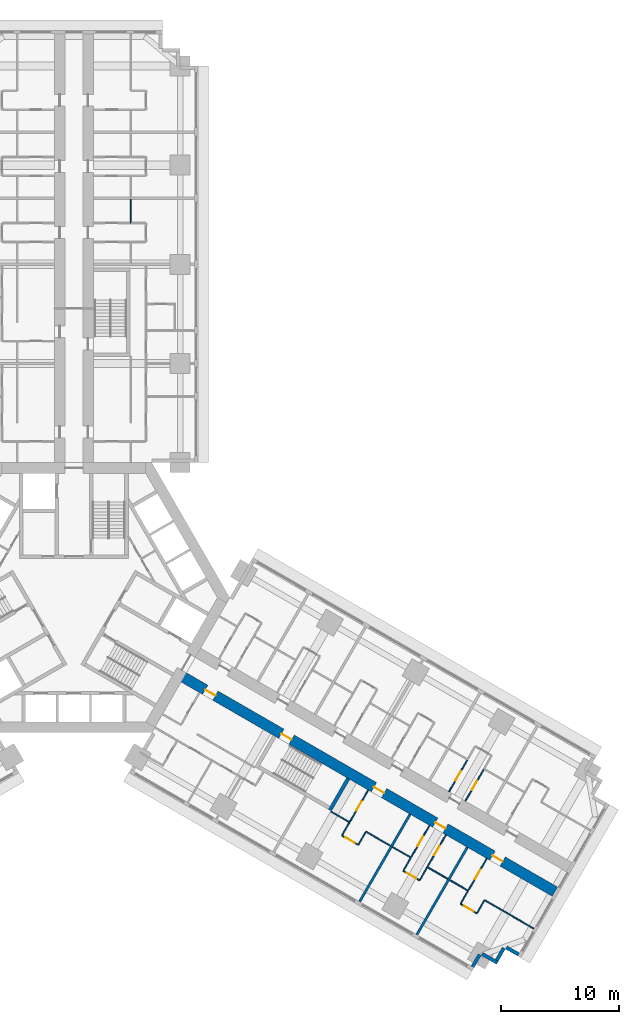
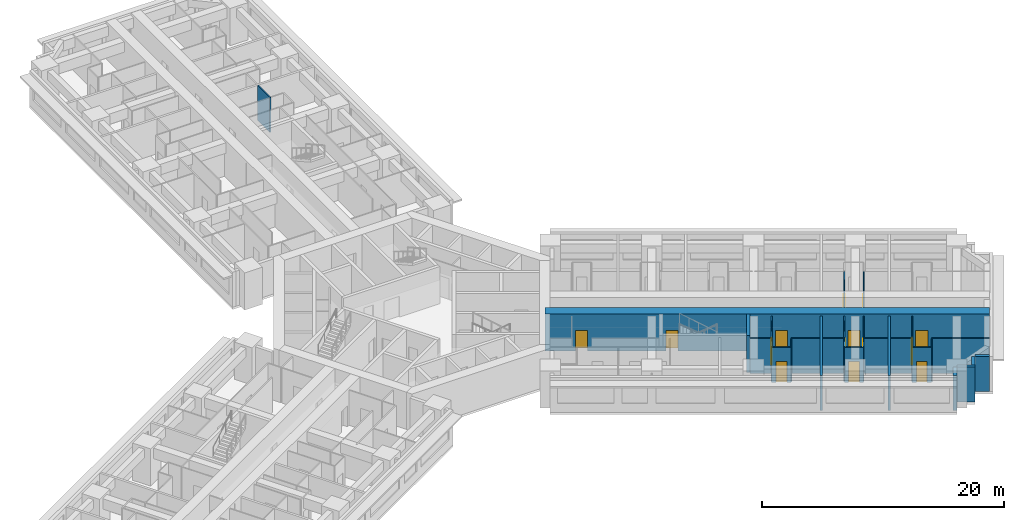
# One storey, part 11 of 16: 30 walls, 14 doors, 14 openings.
"""IFC4 building model written with IfcOpenShell, lengths in metres."""

from ifc_helpers import new_model, si_unit, direction, frame, frame_2d, origin, place, context, subcontext, project, spatial, rectangle, extrude, material, layer, layer_set, type_object, element, fill, save


model = new_model("IFC4")

# Units and contexts
model_context = context("Model", 3, precision=1e-05, world=origin(), true_north=direction((0.0, 1.0)))
body_context = subcontext(model_context, "Body", "Model", "MODEL_VIEW")
ifc_project = project(units=[si_unit("LENGTHUNIT", "METRE"), si_unit("AREAUNIT", "SQUARE_METRE"), si_unit("VOLUMEUNIT", "CUBIC_METRE"), si_unit("PLANEANGLEUNIT", "RADIAN"), si_unit("MASSUNIT", "GRAM", prefix="KILO")], contexts=[model_context])

# Site, building, storey
site_placement = place(None, origin())
site = spatial("IfcSite", under=ifc_project, at=site_placement, CompositionType="ELEMENT")
building_placement = place(site_placement, origin())
building = spatial("IfcBuilding", under=site, at=building_placement, Name="Impinga Residences", CompositionType="ELEMENT")
storey_placement = place(building_placement, frame((0.0, 0.0, 37.25)))
storey = spatial("IfcBuildingStorey", under=building, at=storey_placement, Name="L08", CompositionType="ELEMENT", Elevation=37.25)

# Wall, openings, doors
ifc_material_1 = material(Name="Concrete C70/85", Category="concrete")
ifc_layer_1 = layer(ifc_material_1, 0.89990234375)
ifc_layer_set_1 = layer_set([ifc_layer_1], Name="Concrete C70/85")
wall_type_1 = type_object("IfcWallType", Name="BW1 corridor buttress wall, L05 to L22 900", PredefinedType="SHEAR", material=ifc_layer_set_1)
wall_1_placement = place(storey_placement, frame((8.910400390625, -6.530029296875, 0.0), z_axis=(0.0, 0.0, 1.0), x_axis=(0.866025284237, -0.500000207062, 0.0)))
wall_1 = element("IfcWall", 1, at=wall_1_placement, inside=storey, type_object=wall_type_1, Name="Corridor wall BW1 ED L08", PredefinedType="SHEAR", context=body_context, shape_type="SweptSolid", body=[
    extrude(rectangle(XDim=36.75, YDim=0.89990234375, at=frame_2d((18.375, 0.0))), origin(), (0.0, 0.0, 1.0), 3.75),
])
opening_1_placement = place(wall_1_placement, frame((10.0, 0.0, 0.0)))
opening_1 = element("IfcOpeningElement", 2, at=opening_1_placement, cuts=wall_1, Name="Opening D5", PredefinedType="OPENING", context=body_context, shape_type="SweptSolid", body=[
    extrude(rectangle(XDim=1.0, YDim=2.10009765625, at=frame_2d((0.5, 1.050048828125))), frame((0.0, 0.4599609375, 0.0), z_axis=(0.0, -1.0, 0.0), x_axis=(1.0, 0.0, 0.0)), (0.0, 0.0, 1.0), 0.919921875),
])
opening_2_placement = place(wall_1_placement, frame((2.550048828125, 0.0, 0.0)))
opening_2 = element("IfcOpeningElement", 3, at=opening_2_placement, cuts=wall_1, Name="Opening D1", PredefinedType="OPENING", context=body_context, shape_type="SweptSolid", body=[
    extrude(rectangle(XDim=1.0, YDim=2.10009765625, at=frame_2d((0.5, 1.050048828125))), frame((0.0, 0.4599609375, 0.0), z_axis=(0.0, -1.0, 0.0), x_axis=(1.0, 0.0, 0.0)), (0.0, 0.0, 1.0), 0.919921875),
])
opening_3_placement = place(wall_1_placement, frame((19.050048828125, 0.0, 0.0)))
opening_3 = element("IfcOpeningElement", 4, at=opening_3_placement, cuts=wall_1, Name="Opening D1", PredefinedType="OPENING", context=body_context, shape_type="SweptSolid", body=[
    extrude(rectangle(XDim=1.0, YDim=2.10009765625, at=frame_2d((0.5, 1.050048828125))), frame((0.0, 0.4599609375, 0.0), z_axis=(0.0, -1.0, 0.0), x_axis=(1.0, 0.0, 0.0)), (0.0, 0.0, 1.0), 0.919921875),
])
opening_4_placement = place(wall_1_placement, frame((25.050048828125, 0.0, 0.0)))
opening_4 = element("IfcOpeningElement", 5, at=opening_4_placement, cuts=wall_1, Name="Opening D1", PredefinedType="OPENING", context=body_context, shape_type="SweptSolid", body=[
    extrude(rectangle(XDim=1.0, YDim=2.10009765625, at=frame_2d((0.5, 1.050048828125))), frame((0.0, 0.4599609375, 0.0), z_axis=(0.0, -1.0, 0.0), x_axis=(1.0, 0.0, 0.0)), (0.0, 0.0, 1.0), 0.919921875),
])
opening_5_placement = place(wall_1_placement, frame((30.64990234375, 0.0, 0.0)))
opening_5 = element("IfcOpeningElement", 6, at=opening_5_placement, cuts=wall_1, Name="Opening D1", PredefinedType="OPENING", context=body_context, shape_type="SweptSolid", body=[
    extrude(rectangle(XDim=1.0, YDim=2.10009765625, at=frame_2d((0.5, 1.050048828125))), frame((0.0, 0.4599609375, 0.0), z_axis=(0.0, -1.0, 0.0), x_axis=(1.0, 0.0, 0.0)), (0.0, 0.0, 1.0), 0.919921875),
])
ifc_material_2 = material(Name="Timber door set", Category="wood")
door_type_1 = type_object("IfcDoorType", Name="D1 apartment entrance door 1000x2100", OperationType="SINGLE_SWING_LEFT", PredefinedType="DOOR", material=ifc_material_2)
door_1_placement = place(opening_2_placement, origin())
door_1 = element("IfcDoor", 7, at=door_1_placement, inside=storey, type_object=door_type_1, Name="Apartment L08-EF1 entrance", OperationType="SINGLE_SWING_LEFT", OverallHeight=2.10009765625, OverallWidth=1.0, PredefinedType="DOOR", context=body_context, shape_type="SweptSolid", body=[
    extrude(rectangle(XDim=1.0, YDim=2.10009765625, at=frame_2d((0.5, 1.050048828125))), frame((0.0, 0.02490234375, 0.0), z_axis=(0.0, -1.0, 0.0), x_axis=(1.0, 0.0, 0.0)), (0.0, 0.0, 1.0), 0.050048828125),
])
fill(opening_2, door_1)
door_2_placement = place(opening_3_placement, origin())
door_2 = element("IfcDoor", 8, at=door_2_placement, inside=storey, type_object=door_type_1, Name="Apartment L08-EF2 entrance", OperationType="SINGLE_SWING_RIGHT", OverallHeight=2.10009765625, OverallWidth=1.0, PredefinedType="DOOR", context=body_context, shape_type="SweptSolid", body=[
    extrude(rectangle(XDim=1.0, YDim=2.10009765625, at=frame_2d((0.5, 1.050048828125))), frame((0.0, 0.02490234375, 0.0), z_axis=(0.0, -1.0, 0.0), x_axis=(1.0, 0.0, 0.0)), (0.0, 0.0, 1.0), 0.050048828125),
])
fill(opening_3, door_2)
door_3_placement = place(opening_4_placement, origin())
door_3 = element("IfcDoor", 9, at=door_3_placement, inside=storey, type_object=door_type_1, Name="Apartment L08-EF3 entrance", OperationType="SINGLE_SWING_RIGHT", OverallHeight=2.10009765625, OverallWidth=1.0, PredefinedType="DOOR", context=body_context, shape_type="SweptSolid", body=[
    extrude(rectangle(XDim=1.0, YDim=2.10009765625, at=frame_2d((0.5, 1.050048828125))), frame((0.0, 0.02490234375, 0.0), z_axis=(0.0, -1.0, 0.0), x_axis=(1.0, 0.0, 0.0)), (0.0, 0.0, 1.0), 0.050048828125),
])
fill(opening_4, door_3)
door_4_placement = place(opening_5_placement, origin())
door_4 = element("IfcDoor", 10, at=door_4_placement, inside=storey, type_object=door_type_1, Name="Apartment L08-EF4 entrance", OperationType="SINGLE_SWING_RIGHT", OverallHeight=2.10009765625, OverallWidth=1.0, PredefinedType="DOOR", context=body_context, shape_type="SweptSolid", body=[
    extrude(rectangle(XDim=1.0, YDim=2.10009765625, at=frame_2d((0.5, 1.050048828125))), frame((0.0, 0.02490234375, 0.0), z_axis=(0.0, -1.0, 0.0), x_axis=(1.0, 0.0, 0.0)), (0.0, 0.0, 1.0), 0.050048828125),
])
fill(opening_5, door_4)
door_type_2 = type_object("IfcDoorType", Name="D5 stair door 1000x2100", OperationType="SINGLE_SWING_LEFT", PredefinedType="DOOR", material=ifc_material_2)
door_5_placement = place(opening_1_placement, origin())
door_5 = element("IfcDoor", 11, at=door_5_placement, inside=storey, type_object=door_type_2, Name="Wing stair door E", OperationType="SINGLE_SWING_LEFT", OverallHeight=2.10009765625, OverallWidth=1.0, PredefinedType="DOOR", context=body_context, shape_type="SweptSolid", body=[
    extrude(rectangle(XDim=1.0, YDim=2.10009765625, at=frame_2d((0.5, 1.050048828125))), frame((0.0, 0.02490234375, 0.0), z_axis=(0.0, -1.0, 0.0), x_axis=(1.0, 0.0, 0.0)), (0.0, 0.0, 1.0), 0.050048828125),
])
fill(opening_1, door_5)

# Walls
ifc_material_3 = material(Name="Terracotta rainscreen on blockwork", Category="masonry")
ifc_layer_2 = layer(ifc_material_3, 0.300048828125)
ifc_layer_set_2 = layer_set([ifc_layer_2], Name="EW1 external wall, terracotta rainscreen on blockwork 300")
wall_type_2 = type_object("IfcWallType", Name="EW1 external wall, terracotta rainscreen on blockwork 300", PredefinedType="SOLIDWALL", material=ifc_layer_set_2)
wall_2_placement = place(storey_placement, frame((37.66162109375, -30.23095703125, 0.0), z_axis=(0.0, 0.0, 1.0), x_axis=(-0.866059708757, 0.499940577336, 0.0)))
element("IfcWall", 12, at=wall_2_placement, inside=storey, type_object=wall_type_2, Name="External wall EW1 L08", PredefinedType="SOLIDWALL", context=body_context, shape_type="SweptSolid", body=[
    extrude(rectangle(XDim=1.195068359375, YDim=0.300048828125, at=frame_2d((0.59765625, 0.0))), origin(), (0.0, 0.0, 1.0), 3.530029296875),
])
wall_3_placement = place(storey_placement, frame((36.41748046875, -29.68603515625, 0.0), z_axis=(0.0, 0.0, 1.0), x_axis=(-0.499969057507, -0.866043267704, 0.0)))
element("IfcWall", 13, at=wall_3_placement, inside=storey, type_object=wall_type_2, Name="External wall EW1 L08", PredefinedType="SOLIDWALL", context=body_context, shape_type="SweptSolid", body=[
    extrude(rectangle(XDim=1.19970703125, YDim=0.300048828125, at=frame_2d((0.599853515625, 0.0))), origin(), (0.0, 0.0, 1.0), 3.530029296875),
])
wall_4_placement = place(storey_placement, frame((35.87255859375, -30.93017578125, 0.0), z_axis=(0.0, 0.0, 1.0), x_axis=(-0.866031096941, 0.499990139034, 0.0)))
element("IfcWall", 14, at=wall_4_placement, inside=storey, type_object=wall_type_2, Name="External wall EW1 L08", PredefinedType="SOLIDWALL", context=body_context, shape_type="SweptSolid", body=[
    extrude(rectangle(XDim=1.5, YDim=0.300048828125, at=frame_2d((0.75, 0.0))), origin(), (0.0, 0.0, 1.0), 3.530029296875),
])
wall_5_placement = place(storey_placement, frame((34.365966796875, -30.2392578125, 0.0), z_axis=(0.0, 0.0, 1.0), x_axis=(-0.499940577336, -0.866059708757, 0.0)))
element("IfcWall", 15, at=wall_5_placement, inside=storey, type_object=wall_type_2, Name="External wall EW1 L08", PredefinedType="SOLIDWALL", context=body_context, shape_type="SweptSolid", body=[
    extrude(rectangle(XDim=1.195068359375, YDim=0.300048828125, at=frame_2d((0.59765625, 0.0))), origin(), (0.0, 0.0, 1.0), 3.530029296875),
])
ifc_material_4 = material(Name="Gypsum board on steel studs", Category="steel")
ifc_layer_3 = layer(ifc_material_4, 0.10009765625)
ifc_layer_set_3 = layer_set([ifc_layer_3], Name="Gypsum board on steel studs")
wall_type_3 = type_object("IfcWallType", Name="IP1 partition 100", PredefinedType="PARTITIONING", material=ifc_layer_set_3)
wall_6_placement = place(storey_placement, frame((4.800048828125, 31.7314453125, 0.0), z_axis=(0.0, 0.0, 1.0), x_axis=(0.0, 1.0, 0.0)))
element("IfcWall", 16, at=wall_6_placement, inside=storey, type_object=wall_type_3, Name="Partition L08-NF2:DIV1", PredefinedType="PARTITIONING", context=body_context, shape_type="SweptSolid", body=[
    extrude(rectangle(XDim=2.0, YDim=0.10009765625, at=frame_2d((1.0, 0.0))), origin(), (0.0, 0.0, 1.0), 3.530029296875),
])

# Wall, opening, door
wall_7_placement = place(storey_placement, frame((31.76953125, -16.436767578125, 0.0), z_axis=(0.0, 0.0, 1.0), x_axis=(0.499967891604, 0.866043940782, 0.0)))
wall_7 = element("IfcWall", 17, at=wall_7_placement, inside=storey, type_object=wall_type_3, Name="Partition L08-EA5:IB1", PredefinedType="PARTITIONING", context=body_context, shape_type="SweptSolid", body=[
    extrude(rectangle(XDim=3.099853515625, YDim=0.10009765625, at=frame_2d((1.5498046875, 0.0))), origin(), (0.0, 0.0, 1.0), 3.530029296875),
])
opening_6_placement = place(wall_7_placement, frame((1.10009765625, 0.0, 0.0)))
opening_6 = element("IfcOpeningElement", 18, at=opening_6_placement, cuts=wall_7, Name="Opening D2", PredefinedType="OPENING", context=body_context, shape_type="SweptSolid", body=[
    extrude(rectangle(XDim=0.89990234375, YDim=2.10009765625, at=frame_2d((0.449951171875, 1.050048828125))), frame((0.0, 0.06005859375, 0.0), z_axis=(0.0, -1.0, 0.0), x_axis=(1.0, 0.0, 0.0)), (0.0, 0.0, 1.0), 0.1201171875),
])
door_type_3 = type_object("IfcDoorType", Name="D2 internal door 900x2100", OperationType="SINGLE_SWING_LEFT", PredefinedType="DOOR", material=ifc_material_2)
door_6_placement = place(opening_6_placement, origin())
door_6 = element("IfcDoor", 19, at=door_6_placement, inside=storey, type_object=door_type_3, Name="Apartment L08-EA5 bathroom door", OperationType="SINGLE_SWING_LEFT", OverallHeight=2.10009765625, OverallWidth=0.89990234375, PredefinedType="DOOR", context=body_context, shape_type="SweptSolid", body=[
    extrude(rectangle(XDim=0.89990234375, YDim=2.10009765625, at=frame_2d((0.449951171875, 1.050048828125))), frame((0.0, 0.02490234375, 0.0), z_axis=(0.0, -1.0, 0.0), x_axis=(1.0, 0.0, 0.0)), (0.0, 0.0, 1.0), 0.050048828125),
])
fill(opening_6, door_6)

wall_8_placement = place(storey_placement, frame((33.155029296875, -17.23681640625, 0.0), z_axis=(0.0, 0.0, 1.0), x_axis=(0.500026960575, 0.86600983753, 0.0)))
wall_8 = element("IfcWall", 20, at=wall_8_placement, inside=storey, type_object=wall_type_3, Name="Partition L08-EA5:IB2", PredefinedType="PARTITIONING", context=body_context, shape_type="SweptSolid", body=[
    extrude(rectangle(XDim=3.099853515625, YDim=0.10009765625, at=frame_2d((1.5498046875, 0.0))), origin(), (0.0, 0.0, 1.0), 3.530029296875),
])
opening_7_placement = place(wall_8_placement, frame((1.10009765625, 0.0, 0.0)))
opening_7 = element("IfcOpeningElement", 21, at=opening_7_placement, cuts=wall_8, Name="Opening D2", PredefinedType="OPENING", context=body_context, shape_type="SweptSolid", body=[
    extrude(rectangle(XDim=0.89990234375, YDim=2.10009765625, at=frame_2d((0.449951171875, 1.050048828125))), frame((0.0, 0.06005859375, 0.0), z_axis=(0.0, -1.0, 0.0), x_axis=(1.0, 0.0, 0.0)), (0.0, 0.0, 1.0), 0.1201171875),
])
door_7_placement = place(opening_7_placement, origin())
door_7 = element("IfcDoor", 22, at=door_7_placement, inside=storey, type_object=door_type_3, Name="Apartment L08-EA5 WC door", OperationType="SINGLE_SWING_LEFT", OverallHeight=2.10009765625, OverallWidth=0.89990234375, PredefinedType="DOOR", context=body_context, shape_type="SweptSolid", body=[
    extrude(rectangle(XDim=0.89990234375, YDim=2.10009765625, at=frame_2d((0.449951171875, 1.050048828125))), frame((0.0, 0.02490234375, 0.0), z_axis=(0.0, -1.0, 0.0), x_axis=(1.0, 0.0, 0.0)), (0.0, 0.0, 1.0), 0.050048828125),
])
fill(opening_7, door_7)

# Walls
wall_9_placement = place(storey_placement, frame((21.789306640625, -18.122802734375, 0.0), z_axis=(0.0, 0.0, 1.0), x_axis=(0.866047807691, -0.499961193289, 0.0)))
element("IfcWall", 23, at=wall_9_placement, inside=storey, type_object=wall_type_3, Name="Partition L08-EF2:DIV0", PredefinedType="PARTITIONING", context=body_context, shape_type="SweptSolid", body=[
    extrude(rectangle(XDim=1.800048828125, YDim=0.10009765625, at=frame_2d((0.89990234375, 0.0))), origin(), (0.0, 0.0, 1.0), 3.530029296875),
])
wall_10_placement = place(storey_placement, frame((24.73388671875, -19.82275390625, 0.0), z_axis=(0.0, 0.0, 1.0), x_axis=(0.866024647952, -0.500001309137, 0.0)))
element("IfcWall", 24, at=wall_10_placement, inside=storey, type_object=wall_type_3, Name="Partition L08-EF2:DIV1", PredefinedType="PARTITIONING", context=body_context, shape_type="SweptSolid", body=[
    extrude(rectangle(XDim=2.39990234375, YDim=0.10009765625, at=frame_2d((1.199951171875, 0.0))), origin(), (0.0, 0.0, 1.0), 3.530029296875),
])

# Wall, opening, door
wall_11_placement = place(storey_placement, frame((22.6982421875, -20.1484375, 0.0), z_axis=(0.0, 0.0, 1.0), x_axis=(0.866028054938, -0.499995408039, 0.0)))
wall_11 = element("IfcWall", 25, at=wall_11_placement, inside=storey, type_object=wall_type_3, Name="Partition L08-EF2:STRIP", PredefinedType="PARTITIONING", context=body_context, shape_type="SweptSolid", body=[
    extrude(rectangle(XDim=1.60009765625, YDim=0.10009765625, at=frame_2d((0.800048828125, 0.0))), origin(), (0.0, 0.0, 1.0), 3.530029296875),
])
opening_8_placement = place(wall_11_placement, frame((0.35009765625, 0.0, 0.0)))
opening_8 = element("IfcOpeningElement", 26, at=opening_8_placement, cuts=wall_11, Name="Opening D2", PredefinedType="OPENING", context=body_context, shape_type="SweptSolid", body=[
    extrude(rectangle(XDim=0.89990234375, YDim=2.10009765625, at=frame_2d((0.449951171875, 1.050048828125))), frame((0.0, 0.06005859375, 0.0), z_axis=(0.0, -1.0, 0.0), x_axis=(1.0, 0.0, 0.0)), (0.0, 0.0, 1.0), 0.1201171875),
])
door_8_placement = place(opening_8_placement, origin())
door_8 = element("IfcDoor", 27, at=door_8_placement, inside=storey, type_object=door_type_3, Name="Apartment L08-EF2 room door", OperationType="SINGLE_SWING_LEFT", OverallHeight=2.10009765625, OverallWidth=0.89990234375, PredefinedType="DOOR", context=body_context, shape_type="SweptSolid", body=[
    extrude(rectangle(XDim=0.89990234375, YDim=2.10009765625, at=frame_2d((0.449951171875, 1.050048828125))), frame((0.0, 0.02490234375, 0.0), z_axis=(0.0, -1.0, 0.0), x_axis=(1.0, 0.0, 0.0)), (0.0, 0.0, 1.0), 0.050048828125),
])
fill(opening_8, door_8)

# Walls
for number, where, z_axis, x_axis, name in (
    (28, (23.3232421875, -19.06591796875, 0.0), (0.0, 0.0, 1.0), (-0.500033551112, -0.866006032174, 0.0), "Partition L08-EF2:SE0"),
    (29, (24.708984375, -19.865966796875, 0.0), (0.0, 0.0, 1.0), (-0.500033551112, -0.866006032174, 0.0), "Partition L08-EF2:SE1"),
):
    element("IfcWall", number, at=place(storey_placement, frame(where, z_axis=z_axis, x_axis=x_axis)), inside=storey, type_object=wall_type_3, Name=name, PredefinedType="PARTITIONING", context=body_context, shape_type="SweptSolid", body=[
        extrude(rectangle(XDim=1.2001953125, YDim=0.10009765625, at=frame_2d((0.60009765625, 0.0))), origin(), (0.0, 0.0, 1.0), 3.530029296875),
    ])

# Wall, opening, door
wall_12_placement = place(storey_placement, frame((24.92333984375, -16.294677734375, 0.0), z_axis=(0.0, 0.0, 1.0), x_axis=(-0.49999285859, -0.86602952684, 0.0)))
wall_12 = element("IfcWall", 30, at=wall_12_placement, inside=storey, type_object=wall_type_3, Name="Partition L08-EF2:IB1", PredefinedType="PARTITIONING", context=body_context, shape_type="SweptSolid", body=[
    extrude(rectangle(XDim=3.10009765625, YDim=0.10009765625, at=frame_2d((1.550048828125, 0.0))), origin(), (0.0, 0.0, 1.0), 3.530029296875),
])
opening_9_placement = place(wall_12_placement, frame((1.10009765625, 0.0, 0.0)))
opening_9 = element("IfcOpeningElement", 31, at=opening_9_placement, cuts=wall_12, Name="Opening D2", PredefinedType="OPENING", context=body_context, shape_type="SweptSolid", body=[
    extrude(rectangle(XDim=0.89990234375, YDim=2.10009765625, at=frame_2d((0.449951171875, 1.050048828125))), frame((0.0, 0.06005859375, 0.0), z_axis=(0.0, -1.0, 0.0), x_axis=(1.0, 0.0, 0.0)), (0.0, 0.0, 1.0), 0.1201171875),
])
door_9_placement = place(opening_9_placement, origin())
door_9 = element("IfcDoor", 32, at=door_9_placement, inside=storey, type_object=door_type_3, Name="Apartment L08-EF2 bathroom door", OperationType="SINGLE_SWING_LEFT", OverallHeight=2.10009765625, OverallWidth=0.89990234375, PredefinedType="DOOR", context=body_context, shape_type="SweptSolid", body=[
    extrude(rectangle(XDim=0.89990234375, YDim=2.10009765625, at=frame_2d((0.449951171875, 1.050048828125))), frame((0.0, 0.02490234375, 0.0), z_axis=(0.0, -1.0, 0.0), x_axis=(1.0, 0.0, 0.0)), (0.0, 0.0, 1.0), 0.050048828125),
])
fill(opening_9, door_9)

# Walls
wall_13_placement = place(storey_placement, frame((26.985595703125, -21.122802734375, 0.0), z_axis=(0.0, 0.0, 1.0), x_axis=(0.866047807691, -0.499961193289, 0.0)))
element("IfcWall", 33, at=wall_13_placement, inside=storey, type_object=wall_type_3, Name="Partition L08-EF3:DIV0", PredefinedType="PARTITIONING", context=body_context, shape_type="SweptSolid", body=[
    extrude(rectangle(XDim=1.800048828125, YDim=0.10009765625, at=frame_2d((0.89990234375, 0.0))), origin(), (0.0, 0.0, 1.0), 3.530029296875),
])
wall_14_placement = place(storey_placement, frame((29.93017578125, -22.82275390625, 0.0), z_axis=(0.0, 0.0, 1.0), x_axis=(0.866010750942, -0.50002537861, 0.0)))
element("IfcWall", 34, at=wall_14_placement, inside=storey, type_object=wall_type_3, Name="Partition L08-EF3:DIV1", PredefinedType="PARTITIONING", context=body_context, shape_type="SweptSolid", body=[
    extrude(rectangle(XDim=2.0, YDim=0.10009765625, at=frame_2d((1.0, 0.0))), origin(), (0.0, 0.0, 1.0), 3.530029296875),
])

# Wall, opening, door
wall_15_placement = place(storey_placement, frame((27.89453125, -23.1484375, 0.0), z_axis=(0.0, 0.0, 1.0), x_axis=(0.865989903783, -0.500061482766, 0.0)))
wall_15 = element("IfcWall", 35, at=wall_15_placement, inside=storey, type_object=wall_type_3, Name="Partition L08-EF3:STRIP", PredefinedType="PARTITIONING", context=body_context, shape_type="SweptSolid", body=[
    extrude(rectangle(XDim=1.599853515625, YDim=0.10009765625, at=frame_2d((0.7998046875, 0.0))), origin(), (0.0, 0.0, 1.0), 3.530029296875),
])
opening_10_placement = place(wall_15_placement, frame((0.35009765625, 0.0, 0.0)))
opening_10 = element("IfcOpeningElement", 36, at=opening_10_placement, cuts=wall_15, Name="Opening D2", PredefinedType="OPENING", context=body_context, shape_type="SweptSolid", body=[
    extrude(rectangle(XDim=0.89990234375, YDim=2.10009765625, at=frame_2d((0.449951171875, 1.050048828125))), frame((0.0, 0.06005859375, 0.0), z_axis=(0.0, -1.0, 0.0), x_axis=(1.0, 0.0, 0.0)), (0.0, 0.0, 1.0), 0.1201171875),
])
door_10_placement = place(opening_10_placement, origin())
door_10 = element("IfcDoor", 37, at=door_10_placement, inside=storey, type_object=door_type_3, Name="Apartment L08-EF3 room door", OperationType="SINGLE_SWING_LEFT", OverallHeight=2.10009765625, OverallWidth=0.89990234375, PredefinedType="DOOR", context=body_context, shape_type="SweptSolid", body=[
    extrude(rectangle(XDim=0.89990234375, YDim=2.10009765625, at=frame_2d((0.449951171875, 1.050048828125))), frame((0.0, 0.02490234375, 0.0), z_axis=(0.0, -1.0, 0.0), x_axis=(1.0, 0.0, 0.0)), (0.0, 0.0, 1.0), 0.050048828125),
])
fill(opening_10, door_10)

# Walls
wall_16_placement = place(storey_placement, frame((28.51953125, -22.06591796875, 0.0), z_axis=(0.0, 0.0, 1.0), x_axis=(-0.500033551112, -0.866006032174, 0.0)))
element("IfcWall", 38, at=wall_16_placement, inside=storey, type_object=wall_type_3, Name="Partition L08-EF3:SE0", PredefinedType="PARTITIONING", context=body_context, shape_type="SweptSolid", body=[
    extrude(rectangle(XDim=1.2001953125, YDim=0.10009765625, at=frame_2d((0.60009765625, 0.0))), origin(), (0.0, 0.0, 1.0), 3.530029296875),
])
wall_17_placement = place(storey_placement, frame((29.905029296875, -22.865966796875, 0.0), z_axis=(0.0, 0.0, 1.0), x_axis=(-0.499880961361, -0.866094119867, 0.0)))
element("IfcWall", 39, at=wall_17_placement, inside=storey, type_object=wall_type_3, Name="Partition L08-EF3:SE1", PredefinedType="PARTITIONING", context=body_context, shape_type="SweptSolid", body=[
    extrude(rectangle(XDim=1.199951171875, YDim=0.10009765625, at=frame_2d((0.60009765625, 0.0))), origin(), (0.0, 0.0, 1.0), 3.530029296875),
])

# Wall, opening, door
wall_18_placement = place(storey_placement, frame((30.119384765625, -19.294677734375, 0.0), z_axis=(0.0, 0.0, 1.0), x_axis=(-0.49999285859, -0.86602952684, 0.0)))
wall_18 = element("IfcWall", 40, at=wall_18_placement, inside=storey, type_object=wall_type_3, Name="Partition L08-EF3:IB1", PredefinedType="PARTITIONING", context=body_context, shape_type="SweptSolid", body=[
    extrude(rectangle(XDim=3.10009765625, YDim=0.10009765625, at=frame_2d((1.550048828125, 0.0))), origin(), (0.0, 0.0, 1.0), 3.530029296875),
])
opening_11_placement = place(wall_18_placement, frame((1.10009765625, 0.0, 0.0)))
opening_11 = element("IfcOpeningElement", 41, at=opening_11_placement, cuts=wall_18, Name="Opening D2", PredefinedType="OPENING", context=body_context, shape_type="SweptSolid", body=[
    extrude(rectangle(XDim=0.89990234375, YDim=2.10009765625, at=frame_2d((0.449951171875, 1.050048828125))), frame((0.0, 0.06005859375, 0.0), z_axis=(0.0, -1.0, 0.0), x_axis=(1.0, 0.0, 0.0)), (0.0, 0.0, 1.0), 0.1201171875),
])
door_11_placement = place(opening_11_placement, origin())
door_11 = element("IfcDoor", 42, at=door_11_placement, inside=storey, type_object=door_type_3, Name="Apartment L08-EF3 bathroom door", OperationType="SINGLE_SWING_LEFT", OverallHeight=2.10009765625, OverallWidth=0.89990234375, PredefinedType="DOOR", context=body_context, shape_type="SweptSolid", body=[
    extrude(rectangle(XDim=0.89990234375, YDim=2.10009765625, at=frame_2d((0.449951171875, 1.050048828125))), frame((0.0, 0.02490234375, 0.0), z_axis=(0.0, -1.0, 0.0), x_axis=(1.0, 0.0, 0.0)), (0.0, 0.0, 1.0), 0.050048828125),
])
fill(opening_11, door_11)

wall_19_placement = place(storey_placement, frame((31.505126953125, -20.0947265625, 0.0), z_axis=(0.0, 0.0, 1.0), x_axis=(-0.500026960575, -0.86600983753, 0.0)))
wall_19 = element("IfcWall", 43, at=wall_19_placement, inside=storey, type_object=wall_type_3, Name="Partition L08-EF3:IB2", PredefinedType="PARTITIONING", context=body_context, shape_type="SweptSolid", body=[
    extrude(rectangle(XDim=3.099853515625, YDim=0.10009765625, at=frame_2d((1.5498046875, 0.0))), origin(), (0.0, 0.0, 1.0), 3.530029296875),
])
opening_12_placement = place(wall_19_placement, frame((1.10009765625, 0.0, 0.0)))
opening_12 = element("IfcOpeningElement", 44, at=opening_12_placement, cuts=wall_19, Name="Opening D2", PredefinedType="OPENING", context=body_context, shape_type="SweptSolid", body=[
    extrude(rectangle(XDim=0.89990234375, YDim=2.10009765625, at=frame_2d((0.449951171875, 1.050048828125))), frame((0.0, 0.06005859375, 0.0), z_axis=(0.0, -1.0, 0.0), x_axis=(1.0, 0.0, 0.0)), (0.0, 0.0, 1.0), 0.1201171875),
])
door_12_placement = place(opening_12_placement, origin())
door_12 = element("IfcDoor", 45, at=door_12_placement, inside=storey, type_object=door_type_3, Name="Apartment L08-EF3 WC door", OperationType="SINGLE_SWING_LEFT", OverallHeight=2.10009765625, OverallWidth=0.89990234375, PredefinedType="DOOR", context=body_context, shape_type="SweptSolid", body=[
    extrude(rectangle(XDim=0.89990234375, YDim=2.10009765625, at=frame_2d((0.449951171875, 1.050048828125))), frame((0.0, 0.02490234375, 0.0), z_axis=(0.0, -1.0, 0.0), x_axis=(1.0, 0.0, 0.0)), (0.0, 0.0, 1.0), 0.050048828125),
])
fill(opening_12, door_12)

# Walls
wall_20_placement = place(storey_placement, frame((31.835205078125, -23.922607421875, 0.0), z_axis=(0.0, 0.0, 1.0), x_axis=(0.865989075817, -0.500062916607, 0.0)))
element("IfcWall", 46, at=wall_20_placement, inside=storey, type_object=wall_type_3, Name="Partition L08-EF4:DIV0", PredefinedType="PARTITIONING", context=body_context, shape_type="SweptSolid", body=[
    extrude(rectangle(XDim=1.800048828125, YDim=0.10009765625, at=frame_2d((0.89990234375, 0.0))), origin(), (0.0, 0.0, 1.0), 3.530029296875),
])
wall_21_placement = place(storey_placement, frame((34.77978515625, -25.622802734375, 0.0), z_axis=(0.0, 0.0, 1.0), x_axis=(0.866037363387, -0.499979284789, 0.0)))
element("IfcWall", 47, at=wall_21_placement, inside=storey, type_object=wall_type_3, Name="Partition L08-EF4:DIV1", PredefinedType="PARTITIONING", context=body_context, shape_type="SweptSolid", body=[
    extrude(rectangle(XDim=4.800048828125, YDim=0.10009765625, at=frame_2d((2.39990234375, 0.0))), origin(), (0.0, 0.0, 1.0), 3.530029296875),
])

# Wall, opening, door
wall_22_placement = place(storey_placement, frame((32.744140625, -25.948486328125, 0.0), z_axis=(0.0, 0.0, 1.0), x_axis=(0.866028054938, -0.499995408039, 0.0)))
wall_22 = element("IfcWall", 48, at=wall_22_placement, inside=storey, type_object=wall_type_3, Name="Partition L08-EF4:STRIP", PredefinedType="PARTITIONING", context=body_context, shape_type="SweptSolid", body=[
    extrude(rectangle(XDim=1.60009765625, YDim=0.10009765625, at=frame_2d((0.800048828125, 0.0))), origin(), (0.0, 0.0, 1.0), 3.530029296875),
])
opening_13_placement = place(wall_22_placement, frame((0.35009765625, 0.0, 0.0)))
opening_13 = element("IfcOpeningElement", 49, at=opening_13_placement, cuts=wall_22, Name="Opening D2", PredefinedType="OPENING", context=body_context, shape_type="SweptSolid", body=[
    extrude(rectangle(XDim=0.89990234375, YDim=2.10009765625, at=frame_2d((0.449951171875, 1.050048828125))), frame((0.0, 0.06005859375, 0.0), z_axis=(0.0, -1.0, 0.0), x_axis=(1.0, 0.0, 0.0)), (0.0, 0.0, 1.0), 0.1201171875),
])
door_13_placement = place(opening_13_placement, origin())
door_13 = element("IfcDoor", 50, at=door_13_placement, inside=storey, type_object=door_type_3, Name="Apartment L08-EF4 room door", OperationType="SINGLE_SWING_LEFT", OverallHeight=2.10009765625, OverallWidth=0.89990234375, PredefinedType="DOOR", context=body_context, shape_type="SweptSolid", body=[
    extrude(rectangle(XDim=0.89990234375, YDim=2.10009765625, at=frame_2d((0.449951171875, 1.050048828125))), frame((0.0, 0.02490234375, 0.0), z_axis=(0.0, -1.0, 0.0), x_axis=(1.0, 0.0, 0.0)), (0.0, 0.0, 1.0), 0.050048828125),
])
fill(opening_13, door_13)

# Walls
for number, where, z_axis, x_axis, name in (
    (51, (33.369140625, -24.865966796875, 0.0), (0.0, 0.0, 1.0), (-0.500033551112, -0.866006032174, 0.0), "Partition L08-EF4:SE0"),
    (52, (34.7548828125, -25.666015625, 0.0), (0.0, 0.0, 1.0), (-0.500033551112, -0.866006032174, 0.0), "Partition L08-EF4:SE1"),
):
    element("IfcWall", number, at=place(storey_placement, frame(where, z_axis=z_axis, x_axis=x_axis)), inside=storey, type_object=wall_type_3, Name=name, PredefinedType="PARTITIONING", context=body_context, shape_type="SweptSolid", body=[
        extrude(rectangle(XDim=1.2001953125, YDim=0.10009765625, at=frame_2d((0.60009765625, 0.0))), origin(), (0.0, 0.0, 1.0), 3.530029296875),
    ])

# Wall, opening, door
wall_23_placement = place(storey_placement, frame((34.96923828125, -22.0947265625, 0.0), z_axis=(0.0, 0.0, 1.0), x_axis=(-0.500026960575, -0.86600983753, 0.0)))
wall_23 = element("IfcWall", 53, at=wall_23_placement, inside=storey, type_object=wall_type_3, Name="Partition L08-EF4:IB1", PredefinedType="PARTITIONING", context=body_context, shape_type="SweptSolid", body=[
    extrude(rectangle(XDim=3.099853515625, YDim=0.10009765625, at=frame_2d((1.5498046875, 0.0))), origin(), (0.0, 0.0, 1.0), 3.530029296875),
])
opening_14_placement = place(wall_23_placement, frame((1.10009765625, 0.0, 0.0)))
opening_14 = element("IfcOpeningElement", 54, at=opening_14_placement, cuts=wall_23, Name="Opening D2", PredefinedType="OPENING", context=body_context, shape_type="SweptSolid", body=[
    extrude(rectangle(XDim=0.89990234375, YDim=2.10009765625, at=frame_2d((0.449951171875, 1.050048828125))), frame((0.0, 0.06005859375, 0.0), z_axis=(0.0, -1.0, 0.0), x_axis=(1.0, 0.0, 0.0)), (0.0, 0.0, 1.0), 0.1201171875),
])
door_14_placement = place(opening_14_placement, origin())
door_14 = element("IfcDoor", 55, at=door_14_placement, inside=storey, type_object=door_type_3, Name="Apartment L08-EF4 bathroom door", OperationType="SINGLE_SWING_LEFT", OverallHeight=2.10009765625, OverallWidth=0.89990234375, PredefinedType="DOOR", context=body_context, shape_type="SweptSolid", body=[
    extrude(rectangle(XDim=0.89990234375, YDim=2.10009765625, at=frame_2d((0.449951171875, 1.050048828125))), frame((0.0, 0.02490234375, 0.0), z_axis=(0.0, -1.0, 0.0), x_axis=(1.0, 0.0, 0.0)), (0.0, 0.0, 1.0), 0.050048828125),
])
fill(opening_14, door_14)

# Walls
ifc_material_5 = material(Name="Concrete blockwork", Category="masonry")
ifc_layer_4 = layer(ifc_material_5, 0.199951171875)
ifc_layer_set_4 = layer_set([ifc_layer_4], Name="PW1 party wall between apartments 200")
wall_type_4 = type_object("IfcWallType", Name="PW1 party wall between apartments 200", PredefinedType="SOLIDWALL", material=ifc_layer_set_4)
for number, where, z_axis, x_axis, name in (
    (56, (28.473876953125, -18.3447265625, 0.0), (0.0, 0.0, 1.0), (-0.499990227581, -0.86603104582, 0.0), "Party wall between apartments L08-EF2:PARTY"),
    (57, (33.32373046875, -21.144775390625, 0.0), (0.0, 0.0, 1.0), (-0.499990227581, -0.86603104582, 0.0), "Party wall between apartments L08-EF3:PARTY"),
):
    element("IfcWall", number, at=place(storey_placement, frame(where, z_axis=z_axis, x_axis=x_axis)), inside=storey, type_object=wall_type_4, Name=name, PredefinedType="SOLIDWALL", context=body_context, shape_type="SweptSolid", body=[
        extrude(rectangle(XDim=8.550048828125, YDim=0.199951171875, at=frame_2d((4.27490234375, 0.0))), origin(), (0.0, 0.0, 1.0), 3.530029296875),
    ])
ifc_material_6 = material(Name="Concrete C60/75", Category="concrete")
ifc_layer_5 = layer(ifc_material_6, 0.300048828125)
ifc_layer_set_5 = layer_set([ifc_layer_5], Name="Concrete C60/75")
wall_type_5 = type_object("IfcWallType", Name="SE1 wing stair enclosure wall 300", PredefinedType="SOLIDWALL", material=ifc_layer_set_5)
wall_24_placement = place(storey_placement, frame((23.234619140625, -15.31982421875, 0.0), z_axis=(0.0, 0.0, 1.0), x_axis=(-0.500026960575, -0.86600983753, 0.0)))
element("IfcWall", 58, at=wall_24_placement, inside=storey, type_object=wall_type_5, Name="Stair enclosure wall SE1 E END1 L08", PredefinedType="SOLIDWALL", context=body_context, shape_type="SweptSolid", body=[
    extrude(rectangle(XDim=3.099853515625, YDim=0.300048828125, at=frame_2d((1.5498046875, 0.0))), origin(), (0.0, 0.0, 1.0), 3.75),
])

save(model, "model.ifc")
